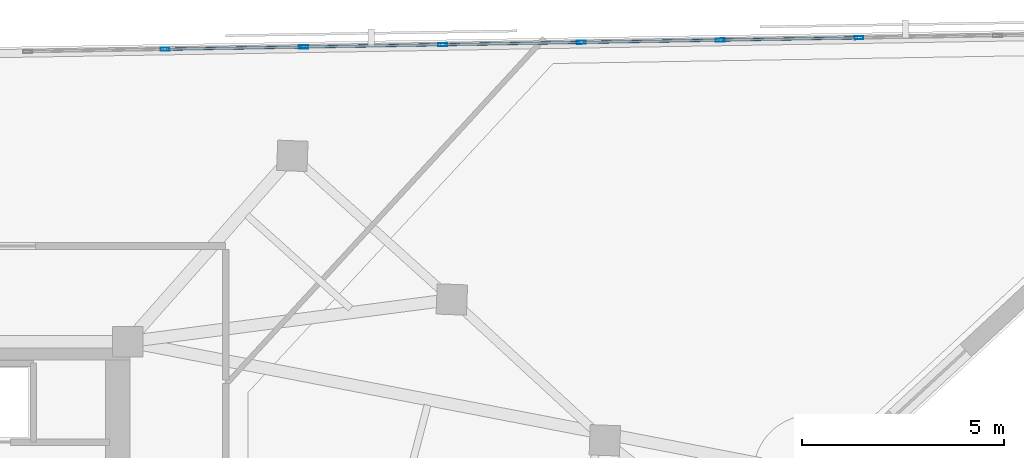
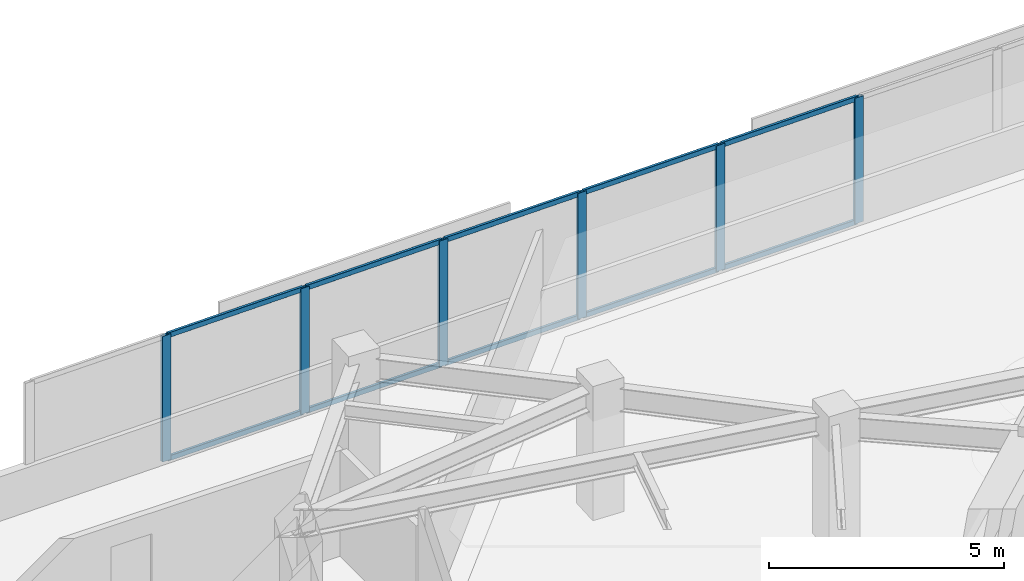
# One storey, part 5 of 12: 16 members, 1 element without a shape of its own.
"""IFC4 building model written with IfcOpenShell, lengths in metres."""

from ifc_helpers import new_model, si_unit, direction, frame, origin, origin_2d, place, context, subcontext, project, spatial, hollow_rectangle, extrude, material, material_profile, profile_set, type_object, element, aggregate, save


model = new_model("IFC4")

# Units and contexts
model_context = context("Model", 3, precision=1e-05, world=origin(), true_north=direction((0.0, 1.0)))
body_context = subcontext(model_context, "Body", "Model", "MODEL_VIEW")
ifc_project = project(units=[si_unit("LENGTHUNIT", "METRE"), si_unit("AREAUNIT", "SQUARE_METRE"), si_unit("VOLUMEUNIT", "CUBIC_METRE"), si_unit("PLANEANGLEUNIT", "RADIAN"), si_unit("MASSUNIT", "GRAM", prefix="KILO")], contexts=[model_context])

# Site, building, storey
site_placement = place(None, origin())
site = spatial("IfcSite", under=ifc_project, at=site_placement, CompositionType="ELEMENT")
building_placement = place(site_placement, origin())
building = spatial("IfcBuilding", under=site, at=building_placement, Name="Narakoshi Arena Tower", CompositionType="ELEMENT")
storey_placement = place(building_placement, frame((0.0, 0.0, 267.780029296875)))
storey = spatial("IfcBuildingStorey", under=building, at=storey_placement, Name="L73", CompositionType="ELEMENT", Elevation=267.780029296875)

# Curtain wall, members
ifc_material = material(Name="Anodised bronze aluminium 6063-T6", Category="aluminium")
curtain_wall_type = type_object("IfcCurtainWallType", Name="CW-HYP-HIGH", PredefinedType="NOTDEFINED", material=ifc_material)
curtain_wall_placement = place(storey_placement, origin())
curtain_wall = element("IfcCurtainWall", 1, at=curtain_wall_placement, inside=storey, type_object=curtain_wall_type, Name="L73 Folded Hypotenuse Curtain Wall 1-1", PredefinedType="NOTDEFINED")
ifc_material_profile_1 = material_profile(ifc_material, hollow_rectangle(XDim=0.080078125, YDim=0.219970703125, WallThickness=0.0048828125, OuterFilletRadius=0.006103515625, at=origin_2d()), Name="MUL220x80x5")
ifc_profile_set_1 = profile_set([ifc_material_profile_1], Name="Anodised bronze aluminium 6063-T6")
member_type_1 = type_object("IfcMemberType", Name="MEM-MUL-220", PredefinedType="MULLION", material=ifc_profile_set_1)
member_1_placement = place(storey_placement, frame((103.604248046875, 64.005615234375, 0.0), z_axis=(0.0, 0.0, 1.0), x_axis=(0.016442997569, -0.999864804777, 0.0)))
member_1 = element("IfcMember", 2, at=member_1_placement, type_object=member_type_1, Name="CW-03 mullion 3", PredefinedType="MULLION", context=body_context, shape_type="SweptSolid", body=[
    extrude(hollow_rectangle(XDim=0.080078125, YDim=0.219970703125, WallThickness=0.0048828125, OuterFilletRadius=0.006103515625, at=origin_2d()), origin(), (0.0, 0.0, 1.0), 3.260009765625),
])
member_2_placement = place(storey_placement, frame((100.177001953125, 63.94921875, 0.0), z_axis=(0.0, 0.0, 1.0), x_axis=(0.016442997569, -0.999864804777, 0.0)))
member_2 = element("IfcMember", 3, at=member_2_placement, type_object=member_type_1, Name="CW-03 mullion 4", PredefinedType="MULLION", context=body_context, shape_type="SweptSolid", body=[
    extrude(hollow_rectangle(XDim=0.080078125, YDim=0.219970703125, WallThickness=0.0048828125, OuterFilletRadius=0.006103515625, at=origin_2d()), origin(), (0.0, 0.0, 1.0), 3.260009765625),
])
member_3_placement = place(storey_placement, frame((96.749755859375, 63.89306640625, 0.0), z_axis=(0.0, 0.0, 1.0), x_axis=(0.016442997569, -0.999864804777, 0.0)))
member_3 = element("IfcMember", 4, at=member_3_placement, type_object=member_type_1, Name="CW-03 mullion 5", PredefinedType="MULLION", context=body_context, shape_type="SweptSolid", body=[
    extrude(hollow_rectangle(XDim=0.080078125, YDim=0.219970703125, WallThickness=0.0048828125, OuterFilletRadius=0.006103515625, at=origin_2d()), origin(), (0.0, 0.0, 1.0), 3.260009765625),
])
member_4_placement = place(storey_placement, frame((93.322509765625, 63.836669921875, 0.0), z_axis=(0.0, 0.0, 1.0), x_axis=(0.016442997569, -0.999864804777, 0.0)))
member_4 = element("IfcMember", 5, at=member_4_placement, type_object=member_type_1, Name="CW-03 mullion 6", PredefinedType="MULLION", context=body_context, shape_type="SweptSolid", body=[
    extrude(hollow_rectangle(XDim=0.080078125, YDim=0.219970703125, WallThickness=0.0048828125, OuterFilletRadius=0.006103515625, at=origin_2d()), origin(), (0.0, 0.0, 1.0), 3.260009765625),
])
member_5_placement = place(storey_placement, frame((89.895263671875, 63.7802734375, 0.0), z_axis=(0.0, 0.0, 1.0), x_axis=(0.016442997569, -0.999864804777, 0.0)))
member_5 = element("IfcMember", 6, at=member_5_placement, type_object=member_type_1, Name="CW-03 mullion 7", PredefinedType="MULLION", context=body_context, shape_type="SweptSolid", body=[
    extrude(hollow_rectangle(XDim=0.080078125, YDim=0.219970703125, WallThickness=0.0048828125, OuterFilletRadius=0.006103515625, at=origin_2d()), origin(), (0.0, 0.0, 1.0), 3.260009765625),
])
member_6_placement = place(storey_placement, frame((86.4677734375, 63.723876953125, 0.0), z_axis=(0.0, 0.0, 1.0), x_axis=(0.016442997569, -0.999864804777, 0.0)))
member_6 = element("IfcMember", 7, at=member_6_placement, type_object=member_type_1, Name="CW-03 mullion 8", PredefinedType="MULLION", context=body_context, shape_type="SweptSolid", body=[
    extrude(hollow_rectangle(XDim=0.080078125, YDim=0.219970703125, WallThickness=0.0048828125, OuterFilletRadius=0.006103515625, at=origin_2d()), origin(), (0.0, 0.0, 1.0), 3.260009765625),
])
ifc_material_profile_2 = material_profile(ifc_material, hollow_rectangle(XDim=0.06494140625, YDim=0.1298828125, WallThickness=0.00390625, OuterFilletRadius=0.0048828125, at=origin_2d()), Name="TRN130x65x4")
ifc_profile_set_2 = profile_set([ifc_material_profile_2], Name="Anodised bronze aluminium 6063-T6")
member_type_2 = type_object("IfcMemberType", Name="MEM-TRN-130", PredefinedType="USERDEFINED", material=ifc_profile_set_2)
member_7_placement = place(storey_placement, frame((103.564208984375, 64.005126953125, 0.032470703125), z_axis=(-0.999864161313, -0.016482078808, 0.0), x_axis=(0.016482078808, -0.999864161313, 0.0)))
member_7 = element("IfcMember", 8, at=member_7_placement, type_object=member_type_2, Name="CW-03 transom 3.1", ObjectType="TRANSOM", PredefinedType="USERDEFINED", context=body_context, shape_type="SweptSolid", body=[
    extrude(hollow_rectangle(XDim=0.06494140625, YDim=0.1298828125, WallThickness=0.00390625, OuterFilletRadius=0.0048828125, at=origin_2d()), origin(), (0.0, 0.0, 1.0), 3.34765625),
])
member_8_placement = place(storey_placement, frame((103.564208984375, 64.005126953125, 3.2275390625), z_axis=(-0.999864161313, -0.016482078808, 0.0), x_axis=(0.016482078808, -0.999864161313, 0.0)))
member_8 = element("IfcMember", 9, at=member_8_placement, type_object=member_type_2, Name="CW-03 transom 3.2", ObjectType="TRANSOM", PredefinedType="USERDEFINED", context=body_context, shape_type="SweptSolid", body=[
    extrude(hollow_rectangle(XDim=0.06494140625, YDim=0.1298828125, WallThickness=0.00390625, OuterFilletRadius=0.0048828125, at=origin_2d()), origin(), (0.0, 0.0, 1.0), 3.34765625),
])
member_9_placement = place(storey_placement, frame((100.136962890625, 63.94873046875, 0.032470703125), z_axis=(-0.999864161313, -0.016482078808, 0.0), x_axis=(0.016482078808, -0.999864161313, 0.0)))
member_9 = element("IfcMember", 10, at=member_9_placement, type_object=member_type_2, Name="CW-03 transom 4.1", ObjectType="TRANSOM", PredefinedType="USERDEFINED", context=body_context, shape_type="SweptSolid", body=[
    extrude(hollow_rectangle(XDim=0.06494140625, YDim=0.1298828125, WallThickness=0.00390625, OuterFilletRadius=0.0048828125, at=origin_2d()), origin(), (0.0, 0.0, 1.0), 3.34765625),
])
member_10_placement = place(storey_placement, frame((100.136962890625, 63.94873046875, 3.2275390625), z_axis=(-0.999864161313, -0.016482078808, 0.0), x_axis=(0.016482078808, -0.999864161313, 0.0)))
member_10 = element("IfcMember", 11, at=member_10_placement, type_object=member_type_2, Name="CW-03 transom 4.2", ObjectType="TRANSOM", PredefinedType="USERDEFINED", context=body_context, shape_type="SweptSolid", body=[
    extrude(hollow_rectangle(XDim=0.06494140625, YDim=0.1298828125, WallThickness=0.00390625, OuterFilletRadius=0.0048828125, at=origin_2d()), origin(), (0.0, 0.0, 1.0), 3.34765625),
])
member_11_placement = place(storey_placement, frame((96.709716796875, 63.892333984375, 0.032470703125), z_axis=(-0.999864161313, -0.016482078808, 0.0), x_axis=(0.016482078808, -0.999864161313, 0.0)))
member_11 = element("IfcMember", 12, at=member_11_placement, type_object=member_type_2, Name="CW-03 transom 5.1", ObjectType="TRANSOM", PredefinedType="USERDEFINED", context=body_context, shape_type="SweptSolid", body=[
    extrude(hollow_rectangle(XDim=0.06494140625, YDim=0.1298828125, WallThickness=0.00390625, OuterFilletRadius=0.0048828125, at=origin_2d()), origin(), (0.0, 0.0, 1.0), 3.34765625),
])
member_12_placement = place(storey_placement, frame((96.709716796875, 63.892333984375, 3.2275390625), z_axis=(-0.999864161313, -0.016482078808, 0.0), x_axis=(0.016482078808, -0.999864161313, 0.0)))
member_12 = element("IfcMember", 13, at=member_12_placement, type_object=member_type_2, Name="CW-03 transom 5.2", ObjectType="TRANSOM", PredefinedType="USERDEFINED", context=body_context, shape_type="SweptSolid", body=[
    extrude(hollow_rectangle(XDim=0.06494140625, YDim=0.1298828125, WallThickness=0.00390625, OuterFilletRadius=0.0048828125, at=origin_2d()), origin(), (0.0, 0.0, 1.0), 3.34765625),
])
member_13_placement = place(storey_placement, frame((93.282470703125, 63.8359375, 0.032470703125), z_axis=(-0.999864181123, -0.016480877028, 0.0), x_axis=(0.016480877028, -0.999864181123, 0.0)))
member_13 = element("IfcMember", 14, at=member_13_placement, type_object=member_type_2, Name="CW-03 transom 6.1", ObjectType="TRANSOM", PredefinedType="USERDEFINED", context=body_context, shape_type="SweptSolid", body=[
    extrude(hollow_rectangle(XDim=0.06494140625, YDim=0.1298828125, WallThickness=0.00390625, OuterFilletRadius=0.0048828125, at=origin_2d()), origin(), (0.0, 0.0, 1.0), 3.347900390625),
])
member_14_placement = place(storey_placement, frame((93.282470703125, 63.8359375, 3.2275390625), z_axis=(-0.999864181123, -0.016480877028, 0.0), x_axis=(0.016480877028, -0.999864181123, 0.0)))
member_14 = element("IfcMember", 15, at=member_14_placement, type_object=member_type_2, Name="CW-03 transom 6.2", ObjectType="TRANSOM", PredefinedType="USERDEFINED", context=body_context, shape_type="SweptSolid", body=[
    extrude(hollow_rectangle(XDim=0.06494140625, YDim=0.1298828125, WallThickness=0.00390625, OuterFilletRadius=0.0048828125, at=origin_2d()), origin(), (0.0, 0.0, 1.0), 3.347900390625),
])
member_15_placement = place(storey_placement, frame((89.855224609375, 63.779541015625, 0.032470703125), z_axis=(-0.999865380158, -0.01640797247, 0.0), x_axis=(0.01640797247, -0.999865380158, 0.0)))
member_15 = element("IfcMember", 16, at=member_15_placement, type_object=member_type_2, Name="CW-03 transom 7.1", ObjectType="TRANSOM", PredefinedType="USERDEFINED", context=body_context, shape_type="SweptSolid", body=[
    extrude(hollow_rectangle(XDim=0.06494140625, YDim=0.1298828125, WallThickness=0.00390625, OuterFilletRadius=0.0048828125, at=origin_2d()), origin(), (0.0, 0.0, 1.0), 3.347900390625),
])
member_16_placement = place(storey_placement, frame((89.855224609375, 63.779541015625, 3.2275390625), z_axis=(-0.999865380158, -0.01640797247, 0.0), x_axis=(0.01640797247, -0.999865380158, 0.0)))
member_16 = element("IfcMember", 17, at=member_16_placement, type_object=member_type_2, Name="CW-03 transom 7.2", ObjectType="TRANSOM", PredefinedType="USERDEFINED", context=body_context, shape_type="SweptSolid", body=[
    extrude(hollow_rectangle(XDim=0.06494140625, YDim=0.1298828125, WallThickness=0.00390625, OuterFilletRadius=0.0048828125, at=origin_2d()), origin(), (0.0, 0.0, 1.0), 3.347900390625),
])
aggregate(curtain_wall, [member_1, member_2, member_3, member_4, member_5, member_6, member_7, member_8, member_9, member_10, member_11, member_12, member_13, member_14, member_15, member_16])

save(model, "model.ifc")
